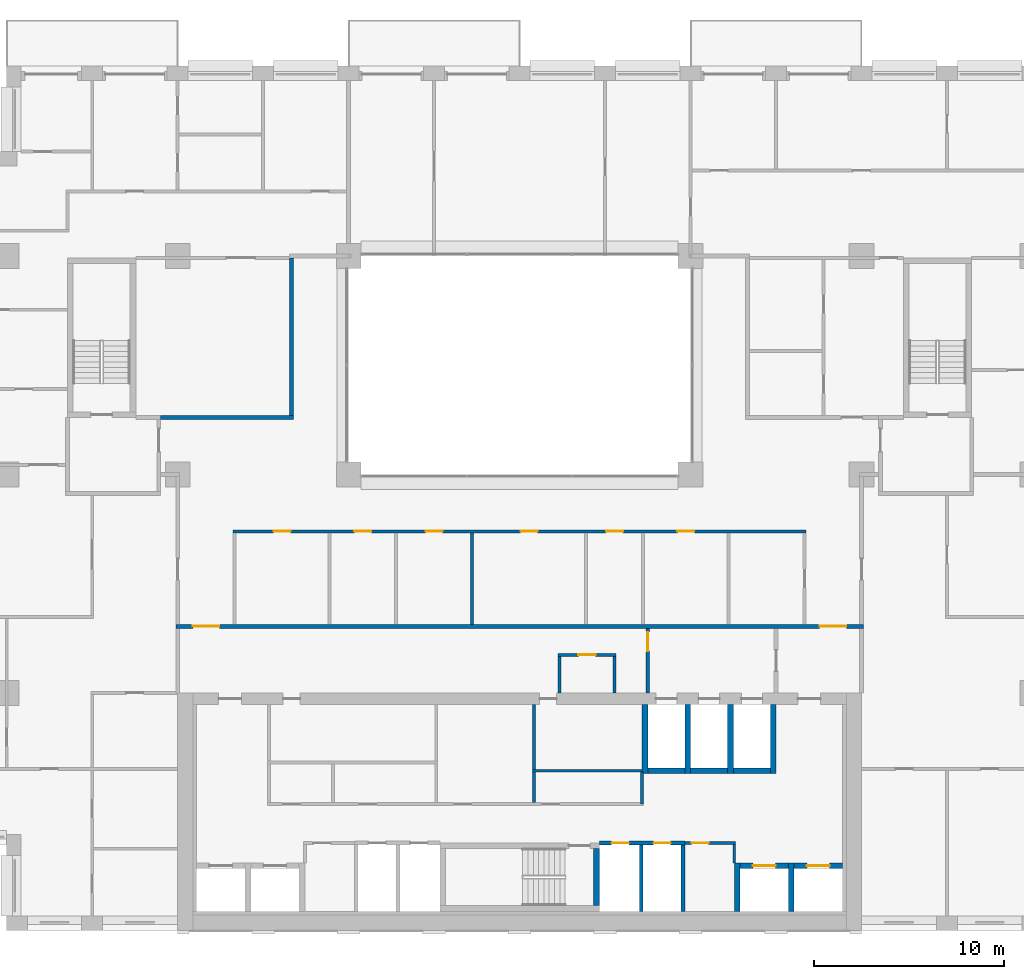
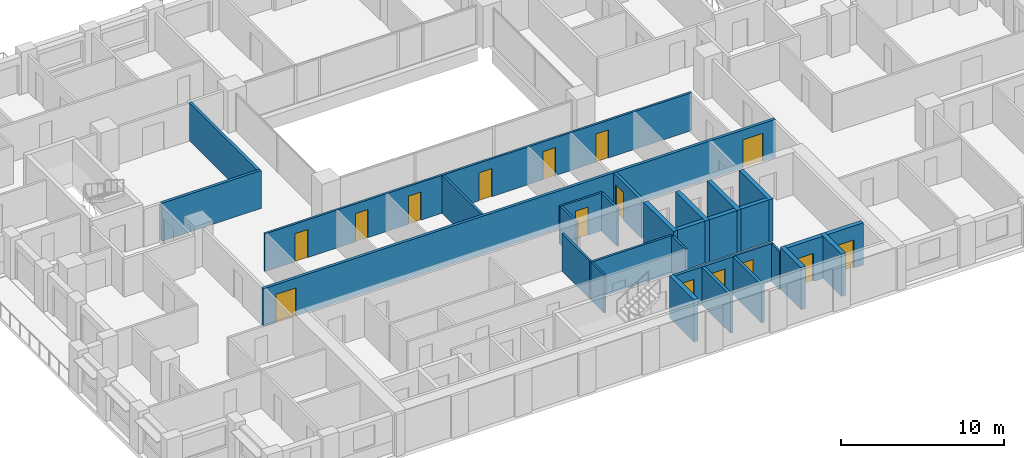
# One storey, part 10 of 17: 30 walls, 15 doors, 15 openings.
"""IFC4 building model written with IfcOpenShell, lengths in metres."""

from ifc_helpers import new_model, si_unit, direction, frame, frame_2d, origin, place, context, subcontext, project, spatial, rectangle, extrude, material, layer, layer_set, type_object, element, fill, save


model = new_model("IFC4")

# Units and contexts
model_context = context("Model", 3, precision=1e-05, world=origin(), true_north=direction((0.0, 1.0)))
body_context = subcontext(model_context, "Body", "Model", "MODEL_VIEW")
ifc_project = project(units=[si_unit("LENGTHUNIT", "METRE"), si_unit("AREAUNIT", "SQUARE_METRE"), si_unit("VOLUMEUNIT", "CUBIC_METRE"), si_unit("PLANEANGLEUNIT", "RADIAN"), si_unit("MASSUNIT", "GRAM", prefix="KILO")], contexts=[model_context])

# Site, building, storey
site_placement = place(None, origin())
site = spatial("IfcSite", under=ifc_project, at=site_placement, CompositionType="ELEMENT")
building_placement = place(site_placement, origin())
building = spatial("IfcBuilding", under=site, at=building_placement, Name="Brigalow Station Residences", CompositionType="ELEMENT")
storey_placement = place(building_placement, frame((0.0, 0.0, 96.14990234375)))
storey = spatial("IfcBuildingStorey", under=building, at=storey_placement, Name="L27", CompositionType="ELEMENT", Elevation=96.14990234375)

# Walls
ifc_material_1 = material(Name="Concrete C65", Category="concrete")
ifc_layer_1 = layer(ifc_material_1, 0.300048828125)
ifc_layer_set_1 = layer_set([ifc_layer_1], Name="CORE SHEAR WALL 300 C65")
wall_type_1 = type_object("IfcWallType", Name="CORE SHEAR WALL 300 C65", PredefinedType="SHEAR", material=ifc_layer_set_1)
wall_1_placement = place(storey_placement, frame((42.75, 8.39990234375, 0.0), z_axis=(0.0, 0.0, 1.0), x_axis=(1.0, 0.0, 0.0)))
element("IfcWall", 1, at=wall_1_placement, inside=storey, type_object=wall_type_1, Name="CORE WALL SH-FF1-S L27", PredefinedType="SHEAR", context=body_context, shape_type="SweptSolid", body=[
    extrude(rectangle(XDim=1.949951171875, YDim=0.300048828125, at=frame_2d((0.97509765625, 0.0))), origin(), (0.0, 0.0, 1.0), 3.150146484375),
])
wall_2_placement = place(storey_placement, frame((42.60009765625, 8.25, 0.0), z_axis=(0.0, 0.0, 1.0), x_axis=(0.0, 1.0, 0.0)))
element("IfcWall", 2, at=wall_2_placement, inside=storey, type_object=wall_type_1, Name="CORE WALL SH-FF1-W L27", PredefinedType="SHEAR", context=body_context, shape_type="SweptSolid", body=[
    extrude(rectangle(XDim=3.64990234375, YDim=0.300048828125, at=frame_2d((1.824951171875, 0.0))), origin(), (0.0, 0.0, 1.0), 3.150146484375),
])
wall_3_placement = place(storey_placement, frame((45.0, 8.39990234375, 0.0), z_axis=(0.0, 0.0, 1.0), x_axis=(1.0, 0.0, 0.0)))
element("IfcWall", 3, at=wall_3_placement, inside=storey, type_object=wall_type_1, Name="CORE WALL SH-FF2-S L27", PredefinedType="SHEAR", context=body_context, shape_type="SweptSolid", body=[
    extrude(rectangle(XDim=1.949951171875, YDim=0.300048828125, at=frame_2d((0.97509765625, 0.0))), origin(), (0.0, 0.0, 1.0), 3.150146484375),
])
wall_4_placement = place(storey_placement, frame((44.85009765625, 8.25, 0.0), z_axis=(0.0, 0.0, 1.0), x_axis=(0.0, 1.0, 0.0)))
element("IfcWall", 4, at=wall_4_placement, inside=storey, type_object=wall_type_1, Name="CORE WALL SH-FF2-W L27", PredefinedType="SHEAR", context=body_context, shape_type="SweptSolid", body=[
    extrude(rectangle(XDim=3.64990234375, YDim=0.300048828125, at=frame_2d((1.824951171875, 0.0))), origin(), (0.0, 0.0, 1.0), 3.150146484375),
])
wall_5_placement = place(storey_placement, frame((47.25, 8.39990234375, 0.0), z_axis=(0.0, 0.0, 1.0), x_axis=(1.0, 0.0, 0.0)))
element("IfcWall", 5, at=wall_5_placement, inside=storey, type_object=wall_type_1, Name="CORE WALL SH-SL1-S L27", PredefinedType="SHEAR", context=body_context, shape_type="SweptSolid", body=[
    extrude(rectangle(XDim=1.949951171875, YDim=0.300048828125, at=frame_2d((0.97509765625, 0.0))), origin(), (0.0, 0.0, 1.0), 3.150146484375),
])
for number, where, z_axis, x_axis, name in (
    (6, (47.10009765625, 8.25, 0.0), (0.0, 0.0, 1.0), (0.0, 1.0, 0.0), "CORE WALL SH-SL1-W L27"),
    (7, (49.35009765625, 8.25, 0.0), (0.0, 0.0, 1.0), (0.0, 1.0, 0.0), "CORE WALL SH-SL1-E L27"),
):
    element("IfcWall", number, at=place(storey_placement, frame(where, z_axis=z_axis, x_axis=x_axis)), inside=storey, type_object=wall_type_1, Name=name, PredefinedType="SHEAR", context=body_context, shape_type="SweptSolid", body=[
        extrude(rectangle(XDim=3.64990234375, YDim=0.300048828125, at=frame_2d((1.824951171875, 0.0))), origin(), (0.0, 0.0, 1.0), 3.150146484375),
    ])

# Wall, opening, door
wall_6_placement = place(storey_placement, frame((47.60009765625, 3.39990234375, 0.0), z_axis=(0.0, 0.0, 1.0), x_axis=(1.0, 0.0, 0.0)))
wall_6 = element("IfcWall", 8, at=wall_6_placement, inside=storey, type_object=wall_type_1, Name="CORE WALL SH-C3-N L27", PredefinedType="SHEAR", context=body_context, shape_type="SweptSolid", body=[
    extrude(rectangle(XDim=2.5498046875, YDim=0.300048828125, at=frame_2d((1.27490234375, 0.0))), origin(), (0.0, 0.0, 1.0), 3.150146484375),
])
opening_1_placement = place(wall_6_placement, frame((0.675048828125, 0.0, 0.0)))
opening_1 = element("IfcOpeningElement", 9, at=opening_1_placement, cuts=wall_6, Name="Opening LD-LB3", PredefinedType="OPENING", context=body_context, shape_type="SweptSolid", body=[
    extrude(rectangle(XDim=1.199951171875, YDim=2.10009765625, at=frame_2d((0.60009765625, 1.050048828125))), frame((0.0, 0.16015625, 0.0), z_axis=(0.0, -1.0, 0.0), x_axis=(1.0, 0.0, 0.0)), (0.0, 0.0, 1.0), 0.320068359375),
])
ifc_material_2 = material(Name="Stainless steel sliding door leaves", Category="steel")
door_type_1 = type_object("IfcDoorType", Name="LIFT LANDING DOOR 1200 x 2100", OperationType="DOUBLE_DOOR_SLIDING", PredefinedType="DOOR", material=ifc_material_2)
door_1_placement = place(opening_1_placement, origin())
door_1 = element("IfcDoor", 10, at=door_1_placement, inside=storey, type_object=door_type_1, Name="LANDING DOOR LB3", OperationType="DOUBLE_DOOR_SLIDING", OverallHeight=2.10009765625, OverallWidth=1.199951171875, PredefinedType="DOOR", context=body_context, shape_type="SweptSolid", body=[
    extrude(rectangle(XDim=1.199951171875, YDim=2.10009765625, at=frame_2d((0.60009765625, 1.050048828125))), frame((0.0, 0.02490234375, 0.0), z_axis=(0.0, -1.0, 0.0), x_axis=(1.0, 0.0, 0.0)), (0.0, 0.0, 1.0), 0.050048828125),
])
fill(opening_1, door_1)

# Wall
wall_7_placement = place(storey_placement, frame((47.449951171875, 1.0, 0.0), z_axis=(0.0, 0.0, 1.0), x_axis=(0.0, 1.0, 0.0)))
element("IfcWall", 11, at=wall_7_placement, inside=storey, type_object=wall_type_1, Name="CORE WALL SH-C3-W L27", PredefinedType="SHEAR", context=body_context, shape_type="SweptSolid", body=[
    extrude(rectangle(XDim=2.550048828125, YDim=0.300048828125, at=frame_2d((1.27490234375, 0.0))), origin(), (0.0, 0.0, 1.0), 3.150146484375),
])

# Wall, opening, door
wall_8_placement = place(storey_placement, frame((50.449951171875, 3.39990234375, 0.0), z_axis=(0.0, 0.0, 1.0), x_axis=(1.0, 0.0, 0.0)))
wall_8 = element("IfcWall", 12, at=wall_8_placement, inside=storey, type_object=wall_type_1, Name="CORE WALL SH-C4-N L27", PredefinedType="SHEAR", context=body_context, shape_type="SweptSolid", body=[
    extrude(rectangle(XDim=2.550048828125, YDim=0.300048828125, at=frame_2d((1.27490234375, 0.0))), origin(), (0.0, 0.0, 1.0), 3.150146484375),
])
opening_2_placement = place(wall_8_placement, frame((0.675048828125, 0.0, 0.0)))
opening_2 = element("IfcOpeningElement", 13, at=opening_2_placement, cuts=wall_8, Name="Opening LD-LB4", PredefinedType="OPENING", context=body_context, shape_type="SweptSolid", body=[
    extrude(rectangle(XDim=1.199951171875, YDim=2.10009765625, at=frame_2d((0.60009765625, 1.050048828125))), frame((0.0, 0.16015625, 0.0), z_axis=(0.0, -1.0, 0.0), x_axis=(1.0, 0.0, 0.0)), (0.0, 0.0, 1.0), 0.320068359375),
])
door_2_placement = place(opening_2_placement, origin())
door_2 = element("IfcDoor", 14, at=door_2_placement, inside=storey, type_object=door_type_1, Name="LANDING DOOR LB4", OperationType="DOUBLE_DOOR_SLIDING", OverallHeight=2.10009765625, OverallWidth=1.199951171875, PredefinedType="DOOR", context=body_context, shape_type="SweptSolid", body=[
    extrude(rectangle(XDim=1.199951171875, YDim=2.10009765625, at=frame_2d((0.60009765625, 1.050048828125))), frame((0.0, 0.02490234375, 0.0), z_axis=(0.0, -1.0, 0.0), x_axis=(1.0, 0.0, 0.0)), (0.0, 0.0, 1.0), 0.050048828125),
])
fill(opening_2, door_2)

# Walls
wall_9_placement = place(storey_placement, frame((50.300048828125, 1.0, 0.0), z_axis=(0.0, 0.0, 1.0), x_axis=(0.0, 1.0, 0.0)))
element("IfcWall", 15, at=wall_9_placement, inside=storey, type_object=wall_type_1, Name="CORE WALL SH-C4-W L27", PredefinedType="SHEAR", context=body_context, shape_type="SweptSolid", body=[
    extrude(rectangle(XDim=2.550048828125, YDim=0.300048828125, at=frame_2d((1.27490234375, 0.0))), origin(), (0.0, 0.0, 1.0), 3.150146484375),
])
wall_10_placement = place(storey_placement, frame((40.050048828125, 1.300048828125, 0.0), z_axis=(0.0, 0.0, 1.0), x_axis=(0.0, 1.0, 0.0)))
element("IfcWall", 16, at=wall_10_placement, inside=storey, type_object=wall_type_1, Name="CORE WALL ST-S2-E L27", PredefinedType="SHEAR", context=body_context, shape_type="SweptSolid", body=[
    extrude(rectangle(XDim=3.0, YDim=0.300048828125, at=frame_2d((1.5, 0.0))), origin(), (0.0, 0.0, 1.0), 3.150146484375),
])

# Wall, openings, doors
ifc_material_3 = material(Name="Concrete blockwork", Category="masonry")
ifc_layer_2 = layer(ifc_material_3, 0.199951171875)
ifc_layer_set_2 = layer_set([ifc_layer_2], Name="FIRE RATED CORE PARTITION 200")
wall_type_2 = type_object("IfcWallType", Name="FIRE RATED CORE PARTITION 200", PredefinedType="PARTITIONING", material=ifc_layer_set_2)
wall_11_placement = place(storey_placement, frame((40.199951171875, 4.60009765625, 0.0), z_axis=(0.0, 0.0, 1.0), x_axis=(1.0, 0.0, 0.0)))
wall_11 = element("IfcWall", 17, at=wall_11_placement, inside=storey, type_object=wall_type_2, Name="PW-5018", PredefinedType="PARTITIONING", context=body_context, shape_type="SweptSolid", body=[
    extrude(rectangle(XDim=4.5, YDim=0.199951171875, at=frame_2d((2.25, 0.0))), origin(), (0.0, 0.0, 1.0), 2.830078125),
])
opening_3_placement = place(wall_11_placement, frame((0.64990234375, 0.0, 0.0)))
opening_3 = element("IfcOpeningElement", 18, at=opening_3_placement, cuts=wall_11, Name="Opening D-5009", PredefinedType="OPENING", context=body_context, shape_type="SweptSolid", body=[
    extrude(rectangle(XDim=0.89990234375, YDim=2.10009765625, at=frame_2d((0.449951171875, 1.050048828125))), frame((0.0, 0.10986328125, 0.0), z_axis=(0.0, -1.0, 0.0), x_axis=(1.0, 0.0, 0.0)), (0.0, 0.0, 1.0), 0.219970703125),
])
opening_4_placement = place(wall_11_placement, frame((2.85009765625, 0.0, 0.0)))
opening_4 = element("IfcOpeningElement", 19, at=opening_4_placement, cuts=wall_11, Name="Opening D-5010", PredefinedType="OPENING", context=body_context, shape_type="SweptSolid", body=[
    extrude(rectangle(XDim=0.89990234375, YDim=2.10009765625, at=frame_2d((0.449951171875, 1.050048828125))), frame((0.0, 0.10986328125, 0.0), z_axis=(0.0, -1.0, 0.0), x_axis=(1.0, 0.0, 0.0)), (0.0, 0.0, 1.0), 0.219970703125),
])
ifc_material_4 = material(Name="Steel fire door leaf in steel frame", Category="steel")
door_type_2 = type_object("IfcDoorType", Name="RISER ACCESS DOOR 900 x 2100 FD120", OperationType="SINGLE_SWING_LEFT", PredefinedType="DOOR", material=ifc_material_4)
door_3_placement = place(opening_3_placement, frame((0.89990234375, 0.0, 0.0), z_axis=(0.0, 0.0, 1.0), x_axis=(-1.0, 0.0, 0.0)))
door_3 = element("IfcDoor", 20, at=door_3_placement, inside=storey, type_object=door_type_2, Name="D-5009", OperationType="SINGLE_SWING_LEFT", OverallHeight=2.10009765625, OverallWidth=0.89990234375, PredefinedType="DOOR", context=body_context, shape_type="SweptSolid", body=[
    extrude(rectangle(XDim=0.89990234375, YDim=2.10009765625, at=frame_2d((0.449951171875, 1.050048828125))), frame((0.0, 0.02490234375, 0.0), z_axis=(0.0, -1.0, 0.0), x_axis=(1.0, 0.0, 0.0)), (0.0, 0.0, 1.0), 0.050048828125),
])
fill(opening_3, door_3)
door_4_placement = place(opening_4_placement, frame((0.89990234375, 0.0, 0.0), z_axis=(0.0, 0.0, 1.0), x_axis=(-1.0, 0.0, 0.0)))
door_4 = element("IfcDoor", 21, at=door_4_placement, inside=storey, type_object=door_type_2, Name="D-5010", OperationType="SINGLE_SWING_LEFT", OverallHeight=2.10009765625, OverallWidth=0.89990234375, PredefinedType="DOOR", context=body_context, shape_type="SweptSolid", body=[
    extrude(rectangle(XDim=0.89990234375, YDim=2.10009765625, at=frame_2d((0.449951171875, 1.050048828125))), frame((0.0, 0.02490234375, 0.0), z_axis=(0.0, -1.0, 0.0), x_axis=(1.0, 0.0, 0.0)), (0.0, 0.0, 1.0), 0.050048828125),
])
fill(opening_4, door_4)

# Walls
for number, where, z_axis, x_axis, name in (
    (22, (42.39990234375, 1.0, 0.0), (0.0, 0.0, 1.0), (0.0, 1.0, 0.0), "PW-5007"),
    (23, (44.60009765625, 1.0, 0.0), (0.0, 0.0, 1.0), (0.0, 1.0, 0.0), "PW-5008"),
):
    element("IfcWall", number, at=place(storey_placement, frame(where, z_axis=z_axis, x_axis=x_axis)), inside=storey, type_object=wall_type_2, Name=name, PredefinedType="PARTITIONING", context=body_context, shape_type="SweptSolid", body=[
        extrude(rectangle(XDim=3.5, YDim=0.199951171875, at=frame_2d((1.75, 0.0))), origin(), (0.0, 0.0, 1.0), 2.830078125),
    ])

# Wall, opening, door
wall_12_placement = place(storey_placement, frame((42.75, 12.5, 0.0), z_axis=(0.0, 0.0, 1.0), x_axis=(0.0, 1.0, 0.0)))
wall_12 = element("IfcWall", 24, at=wall_12_placement, inside=storey, type_object=wall_type_2, Name="PW-5014", PredefinedType="PARTITIONING", context=body_context, shape_type="SweptSolid", body=[
    extrude(rectangle(XDim=3.39990234375, YDim=0.199951171875, at=frame_2d((1.699951171875, 0.0))), origin(), (0.0, 0.0, 1.0), 2.830078125),
])
opening_5_placement = place(wall_12_placement, frame((2.199951171875, 0.0, 0.0)))
opening_5 = element("IfcOpeningElement", 25, at=opening_5_placement, cuts=wall_12, Name="Opening D-5013", PredefinedType="OPENING", context=body_context, shape_type="SweptSolid", body=[
    extrude(rectangle(XDim=1.0, YDim=2.10009765625, at=frame_2d((0.5, 1.050048828125))), frame((0.0, 0.10986328125, 0.0), z_axis=(0.0, -1.0, 0.0), x_axis=(1.0, 0.0, 0.0)), (0.0, 0.0, 1.0), 0.219970703125),
])
ifc_material_5 = material(Name="Steel fire door leaf in steel frame", Category="steel")
door_type_3 = type_object("IfcDoorType", Name="LOBBY DOOR 1000 x 2100 FD60S", OperationType="SINGLE_SWING_LEFT", PredefinedType="DOOR", material=ifc_material_5)
door_5_placement = place(opening_5_placement, origin())
door_5 = element("IfcDoor", 26, at=door_5_placement, inside=storey, type_object=door_type_3, Name="D-5013", OperationType="SINGLE_SWING_RIGHT", OverallHeight=2.10009765625, OverallWidth=1.0, PredefinedType="DOOR", context=body_context, shape_type="SweptSolid", body=[
    extrude(rectangle(XDim=1.0, YDim=2.10009765625, at=frame_2d((0.5, 1.050048828125))), frame((0.0, 0.02490234375, 0.0), z_axis=(0.0, -1.0, 0.0), x_axis=(1.0, 0.0, 0.0)), (0.0, 0.0, 1.0), 0.050048828125),
])
fill(opening_5, door_5)

# Wall, openings, doors
ifc_material_6 = material(Name="Plasterboard on steel stud partition", Category="steel")
ifc_layer_3 = layer(ifc_material_6, 0.14990234375)
ifc_layer_set_3 = layer_set([ifc_layer_3], Name="FLAT PARTITION 150")
wall_type_3 = type_object("IfcWallType", Name="FLAT PARTITION 150", PredefinedType="PARTITIONING", material=ifc_layer_set_3)
wall_13_placement = place(storey_placement, frame((20.925048828125, 21.0, 0.0), z_axis=(0.0, 0.0, 1.0), x_axis=(1.0, 0.0, 0.0)))
wall_13 = element("IfcWall", 27, at=wall_13_placement, inside=storey, type_object=wall_type_3, Name="PW-2B01", PredefinedType="PARTITIONING", context=body_context, shape_type="SweptSolid", body=[
    extrude(rectangle(XDim=30.14990234375, YDim=0.14990234375, at=frame_2d((15.074951171875, 0.0))), origin(), (0.0, 0.0, 1.0), 2.830078125),
])
opening_6_placement = place(wall_13_placement, frame((2.125, 0.0, 0.0)))
opening_6 = element("IfcOpeningElement", 28, at=opening_6_placement, cuts=wall_13, Name="Opening D-2B47", PredefinedType="OPENING", context=body_context, shape_type="SweptSolid", body=[
    extrude(rectangle(XDim=0.89990234375, YDim=2.10009765625, at=frame_2d((0.449951171875, 1.050048828125))), frame((0.0, 0.0849609375, 0.0), z_axis=(0.0, -1.0, 0.0), x_axis=(1.0, 0.0, 0.0)), (0.0, 0.0, 1.0), 0.169921875),
])
opening_7_placement = place(wall_13_placement, frame((6.375, 0.0, 0.0)))
opening_7 = element("IfcOpeningElement", 29, at=opening_7_placement, cuts=wall_13, Name="Opening D-2B48", PredefinedType="OPENING", context=body_context, shape_type="SweptSolid", body=[
    extrude(rectangle(XDim=0.89990234375, YDim=2.10009765625, at=frame_2d((0.449951171875, 1.050048828125))), frame((0.0, 0.0849609375, 0.0), z_axis=(0.0, -1.0, 0.0), x_axis=(1.0, 0.0, 0.0)), (0.0, 0.0, 1.0), 0.169921875),
])
opening_8_placement = place(wall_13_placement, frame((10.125, 0.0, 0.0)))
opening_8 = element("IfcOpeningElement", 30, at=opening_8_placement, cuts=wall_13, Name="Opening D-2B49", PredefinedType="OPENING", context=body_context, shape_type="SweptSolid", body=[
    extrude(rectangle(XDim=0.89990234375, YDim=2.10009765625, at=frame_2d((0.449951171875, 1.050048828125))), frame((0.0, 0.0849609375, 0.0), z_axis=(0.0, -1.0, 0.0), x_axis=(1.0, 0.0, 0.0)), (0.0, 0.0, 1.0), 0.169921875),
])
opening_9_placement = place(wall_13_placement, frame((15.125, 0.0, 0.0)))
opening_9 = element("IfcOpeningElement", 31, at=opening_9_placement, cuts=wall_13, Name="Opening D-2B50", PredefinedType="OPENING", context=body_context, shape_type="SweptSolid", body=[
    extrude(rectangle(XDim=0.89990234375, YDim=2.10009765625, at=frame_2d((0.449951171875, 1.050048828125))), frame((0.0, 0.0849609375, 0.0), z_axis=(0.0, -1.0, 0.0), x_axis=(1.0, 0.0, 0.0)), (0.0, 0.0, 1.0), 0.169921875),
])
opening_10_placement = place(wall_13_placement, frame((19.625, 0.0, 0.0)))
opening_10 = element("IfcOpeningElement", 32, at=opening_10_placement, cuts=wall_13, Name="Opening D-2B51", PredefinedType="OPENING", context=body_context, shape_type="SweptSolid", body=[
    extrude(rectangle(XDim=0.89990234375, YDim=2.10009765625, at=frame_2d((0.449951171875, 1.050048828125))), frame((0.0, 0.0849609375, 0.0), z_axis=(0.0, -1.0, 0.0), x_axis=(1.0, 0.0, 0.0)), (0.0, 0.0, 1.0), 0.169921875),
])
opening_11_placement = place(wall_13_placement, frame((23.375, 0.0, 0.0)))
opening_11 = element("IfcOpeningElement", 33, at=opening_11_placement, cuts=wall_13, Name="Opening D-2B52", PredefinedType="OPENING", context=body_context, shape_type="SweptSolid", body=[
    extrude(rectangle(XDim=0.89990234375, YDim=2.10009765625, at=frame_2d((0.449951171875, 1.050048828125))), frame((0.0, 0.0849609375, 0.0), z_axis=(0.0, -1.0, 0.0), x_axis=(1.0, 0.0, 0.0)), (0.0, 0.0, 1.0), 0.169921875),
])
ifc_material_7 = material(Name="Solid-core timber door leaf", Category="wood")
door_type_4 = type_object("IfcDoorType", Name="INTERNAL DOOR 900 x 2100", OperationType="SINGLE_SWING_LEFT", PredefinedType="DOOR", material=ifc_material_7)
door_6_placement = place(opening_6_placement, frame((0.89990234375, 0.0, 0.0), z_axis=(0.0, 0.0, 1.0), x_axis=(-1.0, 0.0, 0.0)))
door_6 = element("IfcDoor", 34, at=door_6_placement, inside=storey, type_object=door_type_4, Name="D-2B47", OperationType="SINGLE_SWING_RIGHT", OverallHeight=2.10009765625, OverallWidth=0.89990234375, PredefinedType="DOOR", context=body_context, shape_type="SweptSolid", body=[
    extrude(rectangle(XDim=0.89990234375, YDim=2.10009765625, at=frame_2d((0.449951171875, 1.050048828125))), frame((0.0, 0.02490234375, 0.0), z_axis=(0.0, -1.0, 0.0), x_axis=(1.0, 0.0, 0.0)), (0.0, 0.0, 1.0), 0.050048828125),
])
fill(opening_6, door_6)
door_7_placement = place(opening_7_placement, frame((0.89990234375, 0.0, 0.0), z_axis=(0.0, 0.0, 1.0), x_axis=(-1.0, 0.0, 0.0)))
door_7 = element("IfcDoor", 35, at=door_7_placement, inside=storey, type_object=door_type_4, Name="D-2B48", OperationType="SINGLE_SWING_LEFT", OverallHeight=2.10009765625, OverallWidth=0.89990234375, PredefinedType="DOOR", context=body_context, shape_type="SweptSolid", body=[
    extrude(rectangle(XDim=0.89990234375, YDim=2.10009765625, at=frame_2d((0.449951171875, 1.050048828125))), frame((0.0, 0.02490234375, 0.0), z_axis=(0.0, -1.0, 0.0), x_axis=(1.0, 0.0, 0.0)), (0.0, 0.0, 1.0), 0.050048828125),
])
fill(opening_7, door_7)
door_8_placement = place(opening_8_placement, frame((0.89990234375, 0.0, 0.0), z_axis=(0.0, 0.0, 1.0), x_axis=(-1.0, 0.0, 0.0)))
door_8 = element("IfcDoor", 36, at=door_8_placement, inside=storey, type_object=door_type_4, Name="D-2B49", OperationType="SINGLE_SWING_LEFT", OverallHeight=2.10009765625, OverallWidth=0.89990234375, PredefinedType="DOOR", context=body_context, shape_type="SweptSolid", body=[
    extrude(rectangle(XDim=0.89990234375, YDim=2.10009765625, at=frame_2d((0.449951171875, 1.050048828125))), frame((0.0, 0.02490234375, 0.0), z_axis=(0.0, -1.0, 0.0), x_axis=(1.0, 0.0, 0.0)), (0.0, 0.0, 1.0), 0.050048828125),
])
fill(opening_8, door_8)
door_9_placement = place(opening_9_placement, frame((0.89990234375, 0.0, 0.0), z_axis=(0.0, 0.0, 1.0), x_axis=(-1.0, 0.0, 0.0)))
door_9 = element("IfcDoor", 37, at=door_9_placement, inside=storey, type_object=door_type_4, Name="D-2B50", OperationType="SINGLE_SWING_RIGHT", OverallHeight=2.10009765625, OverallWidth=0.89990234375, PredefinedType="DOOR", context=body_context, shape_type="SweptSolid", body=[
    extrude(rectangle(XDim=0.89990234375, YDim=2.10009765625, at=frame_2d((0.449951171875, 1.050048828125))), frame((0.0, 0.02490234375, 0.0), z_axis=(0.0, -1.0, 0.0), x_axis=(1.0, 0.0, 0.0)), (0.0, 0.0, 1.0), 0.050048828125),
])
fill(opening_9, door_9)
door_10_placement = place(opening_10_placement, frame((0.89990234375, 0.0, 0.0), z_axis=(0.0, 0.0, 1.0), x_axis=(-1.0, 0.0, 0.0)))
door_10 = element("IfcDoor", 38, at=door_10_placement, inside=storey, type_object=door_type_4, Name="D-2B51", OperationType="SINGLE_SWING_LEFT", OverallHeight=2.10009765625, OverallWidth=0.89990234375, PredefinedType="DOOR", context=body_context, shape_type="SweptSolid", body=[
    extrude(rectangle(XDim=0.89990234375, YDim=2.10009765625, at=frame_2d((0.449951171875, 1.050048828125))), frame((0.0, 0.02490234375, 0.0), z_axis=(0.0, -1.0, 0.0), x_axis=(1.0, 0.0, 0.0)), (0.0, 0.0, 1.0), 0.050048828125),
])
fill(opening_10, door_10)
door_11_placement = place(opening_11_placement, frame((0.89990234375, 0.0, 0.0), z_axis=(0.0, 0.0, 1.0), x_axis=(-1.0, 0.0, 0.0)))
door_11 = element("IfcDoor", 39, at=door_11_placement, inside=storey, type_object=door_type_4, Name="D-2B52", OperationType="SINGLE_SWING_LEFT", OverallHeight=2.10009765625, OverallWidth=0.89990234375, PredefinedType="DOOR", context=body_context, shape_type="SweptSolid", body=[
    extrude(rectangle(XDim=0.89990234375, YDim=2.10009765625, at=frame_2d((0.449951171875, 1.050048828125))), frame((0.0, 0.02490234375, 0.0), z_axis=(0.0, -1.0, 0.0), x_axis=(1.0, 0.0, 0.0)), (0.0, 0.0, 1.0), 0.050048828125),
])
fill(opening_11, door_11)

# Walls
wall_14_placement = place(storey_placement, frame((33.5, 16.10009765625, 0.0), z_axis=(0.0, 0.0, 1.0), x_axis=(0.0, 1.0, 0.0)))
element("IfcWall", 40, at=wall_14_placement, inside=storey, type_object=wall_type_3, Name="PW-2B71", PredefinedType="PARTITIONING", context=body_context, shape_type="SweptSolid", body=[
    extrude(rectangle(XDim=4.824951171875, YDim=0.14990234375, at=frame_2d((2.41259765625, 0.0))), origin(), (0.0, 0.0, 1.0), 2.830078125),
])
ifc_material_8 = material(Name="Plasterboard on steel stud partition", Category="steel")
ifc_layer_4 = layer(ifc_material_8, 0.199951171875)
ifc_layer_set_4 = layer_set([ifc_layer_4], Name="PARTY AND CORRIDOR WALL 200")
wall_type_4 = type_object("IfcWallType", Name="PARTY AND CORRIDOR WALL 200", PredefinedType="PARTITIONING", material=ifc_layer_set_4)
wall_15_placement = place(storey_placement, frame((17.10009765625, 27.0, 0.0), z_axis=(0.0, 0.0, 1.0), x_axis=(1.0, 0.0, 0.0)))
element("IfcWall", 41, at=wall_15_placement, inside=storey, type_object=wall_type_4, Name="PW-2B05", PredefinedType="PARTITIONING", context=body_context, shape_type="SweptSolid", body=[
    extrude(rectangle(XDim=7.0, YDim=0.199951171875, at=frame_2d((3.5, 0.0))), origin(), (0.0, 0.0, 1.0), 2.830078125),
])

# Wall, openings, doors
wall_16_placement = place(storey_placement, frame((17.89990234375, 16.0, 0.0), z_axis=(0.0, 0.0, 1.0), x_axis=(1.0, 0.0, 0.0)))
wall_16 = element("IfcWall", 42, at=wall_16_placement, inside=storey, type_object=wall_type_4, Name="PW-2B37", PredefinedType="PARTITIONING", context=body_context, shape_type="SweptSolid", body=[
    extrude(rectangle(XDim=36.2001953125, YDim=0.199951171875, at=frame_2d((18.10009765625, 0.0))), origin(), (0.0, 0.0, 1.0), 2.830078125),
])
opening_12_placement = place(wall_16_placement, frame((0.89990234375, 0.0, 0.0)))
opening_12 = element("IfcOpeningElement", 43, at=opening_12_placement, cuts=wall_16, Name="Opening D-2B01", PredefinedType="OPENING", context=body_context, shape_type="SweptSolid", body=[
    extrude(rectangle(XDim=1.39990234375, YDim=2.10009765625, at=frame_2d((0.699951171875, 1.050048828125))), frame((0.0, 0.10986328125, 0.0), z_axis=(0.0, -1.0, 0.0), x_axis=(1.0, 0.0, 0.0)), (0.0, 0.0, 1.0), 0.219970703125),
])
opening_13_placement = place(wall_16_placement, frame((33.89990234375, 0.0, 0.0)))
opening_13 = element("IfcOpeningElement", 44, at=opening_13_placement, cuts=wall_16, Name="Opening D-2B02", PredefinedType="OPENING", context=body_context, shape_type="SweptSolid", body=[
    extrude(rectangle(XDim=1.39990234375, YDim=2.10009765625, at=frame_2d((0.699951171875, 1.050048828125))), frame((0.0, 0.10986328125, 0.0), z_axis=(0.0, -1.0, 0.0), x_axis=(1.0, 0.0, 0.0)), (0.0, 0.0, 1.0), 0.219970703125),
])
ifc_material_9 = material(Name="Solid-core timber door leaf", Category="wood")
door_type_5 = type_object("IfcDoorType", Name="CORRIDOR FIRE DOOR 1400 x 2100 FRL -/60/30", OperationType="DOUBLE_DOOR_SINGLE_SWING", PredefinedType="DOOR", material=ifc_material_9)
door_12_placement = place(opening_12_placement, frame((1.39990234375, 0.0, 0.0), z_axis=(0.0, 0.0, 1.0), x_axis=(-1.0, 0.0, 0.0)))
door_12 = element("IfcDoor", 45, at=door_12_placement, inside=storey, type_object=door_type_5, Name="D-2B01", OperationType="DOUBLE_DOOR_SINGLE_SWING", OverallHeight=2.10009765625, OverallWidth=1.39990234375, PredefinedType="DOOR", context=body_context, shape_type="SweptSolid", body=[
    extrude(rectangle(XDim=1.39990234375, YDim=2.10009765625, at=frame_2d((0.699951171875, 1.050048828125))), frame((0.0, 0.02490234375, 0.0), z_axis=(0.0, -1.0, 0.0), x_axis=(1.0, 0.0, 0.0)), (0.0, 0.0, 1.0), 0.050048828125),
])
fill(opening_12, door_12)
door_13_placement = place(opening_13_placement, frame((1.39990234375, 0.0, 0.0), z_axis=(0.0, 0.0, 1.0), x_axis=(-1.0, 0.0, 0.0)))
door_13 = element("IfcDoor", 46, at=door_13_placement, inside=storey, type_object=door_type_5, Name="D-2B02", OperationType="DOUBLE_DOOR_SINGLE_SWING", OverallHeight=2.10009765625, OverallWidth=1.39990234375, PredefinedType="DOOR", context=body_context, shape_type="SweptSolid", body=[
    extrude(rectangle(XDim=1.39990234375, YDim=2.10009765625, at=frame_2d((0.699951171875, 1.050048828125))), frame((0.0, 0.02490234375, 0.0), z_axis=(0.0, -1.0, 0.0), x_axis=(1.0, 0.0, 0.0)), (0.0, 0.0, 1.0), 0.050048828125),
])
fill(opening_13, door_13)

# Wall
wall_17_placement = place(storey_placement, frame((24.0, 27.10009765625, 0.0), z_axis=(0.0, 0.0, 1.0), x_axis=(0.0, 1.0, 0.0)))
element("IfcWall", 47, at=wall_17_placement, inside=storey, type_object=wall_type_4, Name="PW-2B43", PredefinedType="PARTITIONING", context=body_context, shape_type="SweptSolid", body=[
    extrude(rectangle(XDim=8.2998046875, YDim=0.199951171875, at=frame_2d((4.14990234375, 0.0))), origin(), (0.0, 0.0, 1.0), 2.830078125),
])

# Wall, opening, door
ifc_material_10 = material(Name="Plasterboard on steel studs", Category="steel")
ifc_layer_5 = layer(ifc_material_10, 0.14990234375)
ifc_layer_set_5 = layer_set([ifc_layer_5], Name="SERVICE ROOM PARTITION 150")
wall_type_5 = type_object("IfcWallType", Name="SERVICE ROOM PARTITION 150", PredefinedType="PARTITIONING", material=ifc_layer_set_5)
wall_18_placement = place(storey_placement, frame((44.699951171875, 4.60009765625, 0.0), z_axis=(0.0, 0.0, 1.0), x_axis=(1.0, 0.0, 0.0)))
wall_18 = element("IfcWall", 48, at=wall_18_placement, inside=storey, type_object=wall_type_5, Name="PW-5156", PredefinedType="PARTITIONING", context=body_context, shape_type="SweptSolid", body=[
    extrude(rectangle(XDim=2.675048828125, YDim=0.14990234375, at=frame_2d((1.33740234375, 0.0))), origin(), (0.0, 0.0, 1.0), 2.830078125),
])
opening_14_placement = place(wall_18_placement, frame((0.35009765625, 0.0, 0.0)))
opening_14 = element("IfcOpeningElement", 49, at=opening_14_placement, cuts=wall_18, Name="Opening D-5026", PredefinedType="OPENING", context=body_context, shape_type="SweptSolid", body=[
    extrude(rectangle(XDim=0.89990234375, YDim=2.10009765625, at=frame_2d((0.449951171875, 1.050048828125))), frame((0.0, 0.0849609375, 0.0), z_axis=(0.0, -1.0, 0.0), x_axis=(1.0, 0.0, 0.0)), (0.0, 0.0, 1.0), 0.169921875),
])
ifc_material_11 = material(Name="Steel door leaf in steel frame", Category="steel")
door_type_6 = type_object("IfcDoorType", Name="SERVICE ROOM DOOR 900 x 2100 FD60", OperationType="SINGLE_SWING_LEFT", PredefinedType="DOOR", material=ifc_material_11)
door_14_placement = place(opening_14_placement, frame((0.89990234375, 0.0, 0.0), z_axis=(0.0, 0.0, 1.0), x_axis=(-1.0, 0.0, 0.0)))
door_14 = element("IfcDoor", 50, at=door_14_placement, inside=storey, type_object=door_type_6, Name="D-5026", OperationType="SINGLE_SWING_RIGHT", OverallHeight=2.10009765625, OverallWidth=0.89990234375, PredefinedType="DOOR", context=body_context, shape_type="SweptSolid", body=[
    extrude(rectangle(XDim=0.89990234375, YDim=2.10009765625, at=frame_2d((0.449951171875, 1.050048828125))), frame((0.0, 0.02490234375, 0.0), z_axis=(0.0, -1.0, 0.0), x_axis=(1.0, 0.0, 0.0)), (0.0, 0.0, 1.0), 0.050048828125),
])
fill(opening_14, door_14)

# Wall
wall_19_placement = place(storey_placement, frame((36.675048828125, 8.39990234375, 0.0), z_axis=(0.0, 0.0, 1.0), x_axis=(1.0, 0.0, 0.0)))
element("IfcWall", 51, at=wall_19_placement, inside=storey, type_object=wall_type_5, Name="PW-5204", PredefinedType="PARTITIONING", context=body_context, shape_type="SweptSolid", body=[
    extrude(rectangle(XDim=5.77490234375, YDim=0.14990234375, at=frame_2d((2.887451171875, 0.0))), origin(), (0.0, 0.0, 1.0), 2.830078125),
])

# Wall, opening, door
wall_20_placement = place(storey_placement, frame((38.02490234375, 14.5, 0.0), z_axis=(0.0, 0.0, 1.0), x_axis=(1.0, 0.0, 0.0)))
wall_20 = element("IfcWall", 52, at=wall_20_placement, inside=storey, type_object=wall_type_5, Name="PW-5138", PredefinedType="PARTITIONING", context=body_context, shape_type="SweptSolid", body=[
    extrude(rectangle(XDim=3.050048828125, YDim=0.14990234375, at=frame_2d((1.52490234375, 0.0))), origin(), (0.0, 0.0, 1.0), 2.830078125),
])
opening_15_placement = place(wall_20_placement, frame((1.074951171875, 0.0, 0.0)))
opening_15 = element("IfcOpeningElement", 53, at=opening_15_placement, cuts=wall_20, Name="Opening D-5079", PredefinedType="OPENING", context=body_context, shape_type="SweptSolid", body=[
    extrude(rectangle(XDim=0.89990234375, YDim=2.10009765625, at=frame_2d((0.449951171875, 1.050048828125))), frame((0.0, 0.0849609375, 0.0), z_axis=(0.0, -1.0, 0.0), x_axis=(1.0, 0.0, 0.0)), (0.0, 0.0, 1.0), 0.169921875),
])
door_15_placement = place(opening_15_placement, frame((0.89990234375, 0.0, 0.0), z_axis=(0.0, 0.0, 1.0), x_axis=(-1.0, 0.0, 0.0)))
door_15 = element("IfcDoor", 54, at=door_15_placement, inside=storey, type_object=door_type_6, Name="D-5079", OperationType="SINGLE_SWING_RIGHT", OverallHeight=2.10009765625, OverallWidth=0.89990234375, PredefinedType="DOOR", context=body_context, shape_type="SweptSolid", body=[
    extrude(rectangle(XDim=0.89990234375, YDim=2.10009765625, at=frame_2d((0.449951171875, 1.050048828125))), frame((0.0, 0.02490234375, 0.0), z_axis=(0.0, -1.0, 0.0), x_axis=(1.0, 0.0, 0.0)), (0.0, 0.0, 1.0), 0.050048828125),
])
fill(opening_15, door_15)

# Walls
wall_21_placement = place(storey_placement, frame((47.300048828125, 3.550048828125, 0.0), z_axis=(0.0, 0.0, 1.0), x_axis=(0.0, 1.0, 0.0)))
element("IfcWall", 55, at=wall_21_placement, inside=storey, type_object=wall_type_5, Name="PW-5158", PredefinedType="PARTITIONING", context=body_context, shape_type="SweptSolid", body=[
    extrude(rectangle(XDim=0.974853515625, YDim=0.14990234375, at=frame_2d((0.4873046875, 0.0))), origin(), (0.0, 0.0, 1.0), 2.830078125),
])
wall_22_placement = place(storey_placement, frame((42.449951171875, 6.64990234375, 0.0), z_axis=(0.0, 0.0, 1.0), x_axis=(0.0, 1.0, 0.0)))
element("IfcWall", 56, at=wall_22_placement, inside=storey, type_object=wall_type_5, Name="PW-5206", PredefinedType="PARTITIONING", context=body_context, shape_type="SweptSolid", body=[
    extrude(rectangle(XDim=1.675048828125, YDim=0.14990234375, at=frame_2d((0.83740234375, 0.0))), origin(), (0.0, 0.0, 1.0), 2.830078125),
])
wall_23_placement = place(storey_placement, frame((36.75, 6.72509765625, 0.0), z_axis=(0.0, 0.0, 1.0), x_axis=(0.0, 1.0, 0.0)))
element("IfcWall", 57, at=wall_23_placement, inside=storey, type_object=wall_type_5, Name="PW-5210", PredefinedType="PARTITIONING", context=body_context, shape_type="SweptSolid", body=[
    extrude(rectangle(XDim=1.599853515625, YDim=0.14990234375, at=frame_2d((0.7998046875, 0.0))), origin(), (0.0, 0.0, 1.0), 2.830078125),
])
wall_24_placement = place(storey_placement, frame((36.75, 8.47509765625, 0.0), z_axis=(0.0, 0.0, 1.0), x_axis=(0.0, 1.0, 0.0)))
element("IfcWall", 58, at=wall_24_placement, inside=storey, type_object=wall_type_5, Name="PW-5211", PredefinedType="PARTITIONING", context=body_context, shape_type="SweptSolid", body=[
    extrude(rectangle(XDim=3.4248046875, YDim=0.14990234375, at=frame_2d((1.71240234375, 0.0))), origin(), (0.0, 0.0, 1.0), 2.830078125),
])
for number, where, z_axis, x_axis, name in (
    (59, (38.10009765625, 12.5, 0.0), (0.0, 0.0, 1.0), (0.0, 1.0, 0.0), "PW-5139"),
    (60, (41.0, 12.5, 0.0), (0.0, 0.0, 1.0), (0.0, 1.0, 0.0), "PW-5140"),
):
    element("IfcWall", number, at=place(storey_placement, frame(where, z_axis=z_axis, x_axis=x_axis)), inside=storey, type_object=wall_type_5, Name=name, PredefinedType="PARTITIONING", context=body_context, shape_type="SweptSolid", body=[
        extrude(rectangle(XDim=1.925048828125, YDim=0.14990234375, at=frame_2d((0.96240234375, 0.0))), origin(), (0.0, 0.0, 1.0), 2.830078125),
    ])

save(model, "model.ifc")
